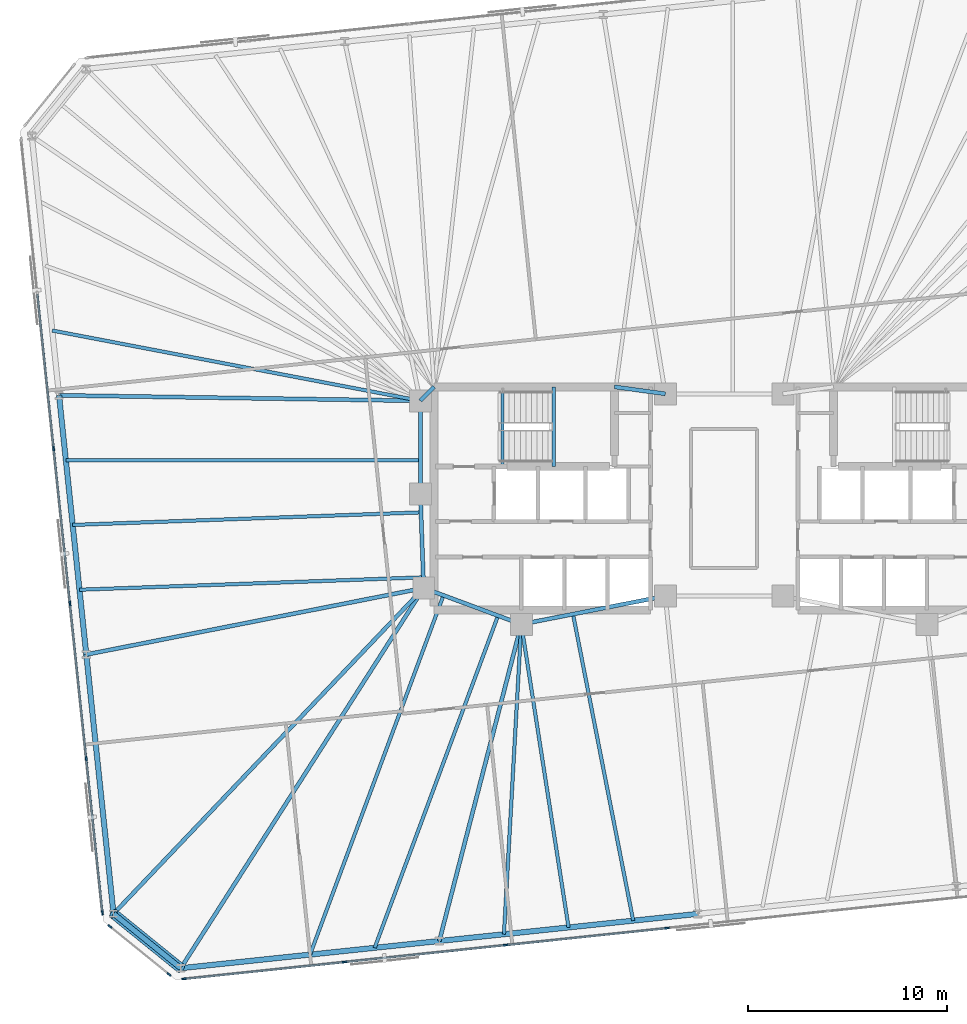
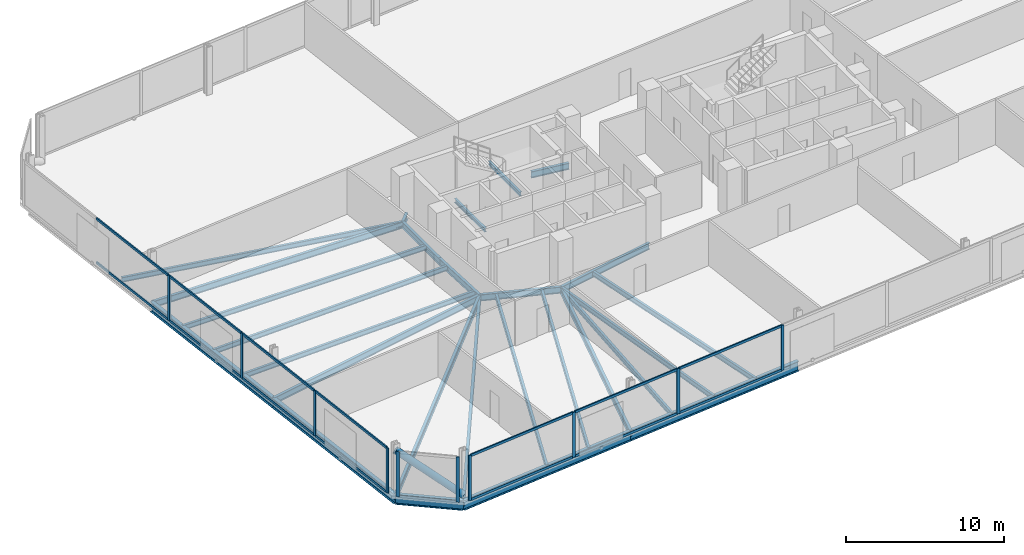
# One storey, part 6 of 18: 27 beams, 25 members, 3 elements without a shape of their own.
"""IFC4 building model written with IfcOpenShell, lengths in metres."""

from ifc_helpers import new_model, si_unit, direction, frame, origin, origin_2d, place, context, subcontext, project, spatial, rectangle, hollow_circle, i_section, extrude, material, material_profile, profile_set, type_object, element, aggregate, save


model = new_model("IFC4")

# Units and contexts
model_context = context("Model", 3, precision=1e-05, world=origin(), true_north=direction((0.0, 1.0)))
body_context = subcontext(model_context, "Body", "Model", "MODEL_VIEW")
ifc_project = project(units=[si_unit("LENGTHUNIT", "METRE"), si_unit("AREAUNIT", "SQUARE_METRE"), si_unit("VOLUMEUNIT", "CUBIC_METRE"), si_unit("PLANEANGLEUNIT", "RADIAN"), si_unit("MASSUNIT", "GRAM", prefix="KILO")], contexts=[model_context])

# Site, building, storey
site_placement = place(None, origin())
site = spatial("IfcSite", under=ifc_project, at=site_placement, CompositionType="ELEMENT")
building_placement = place(site_placement, origin())
building = spatial("IfcBuilding", under=site, at=building_placement, Name="Menara Jurai Vektor", CompositionType="ELEMENT")
storey_placement = place(building_placement, frame((0.0, 0.0, 124.39990234375)))
storey = spatial("IfcBuildingStorey", under=building, at=storey_placement, Name="L31", CompositionType="ELEMENT", Elevation=124.39990234375)

# Curtain wall, members
ifc_material_1 = material(Name="Anodised Pale Aluminium & Low-E Double Glazing", Category="aluminium")
curtain_wall_type = type_object("IfcCurtainWallType", Name="CW-BLK2", PredefinedType="NOTDEFINED", material=ifc_material_1)
curtain_wall_1_placement = place(storey_placement, origin())
curtain_wall_1 = element("IfcCurtainWall", 1, at=curtain_wall_1_placement, inside=storey, type_object=curtain_wall_type, Name="Unitised Curtain Wall L31 F01", PredefinedType="NOTDEFINED")
ifc_material_2 = material(Name="Anodised Pale Aluminium Mullion", Category="aluminium")
ifc_material_profile_1 = material_profile(ifc_material_2, rectangle(XDim=0.090087890625, YDim=0.219970703125, at=origin_2d()), Name="ALU MUL 90x220")
ifc_profile_set_1 = profile_set([ifc_material_profile_1], Name="Anodised Pale Aluminium Mullion")
member_type_1 = type_object("IfcMemberType", Name="CW-BLK2-MUL", PredefinedType="MULLION", material=ifc_profile_set_1)
member_1_placement = place(storey_placement, frame((-27.116455078125, -24.122314453125, 0.0), z_axis=(0.0, 0.0, 1.0), x_axis=(-0.104528634935, 0.994521877325, 0.0)))
member_1 = element("IfcMember", 2, at=member_1_placement, type_object=member_type_1, Name="CW-02 mullion 1", PredefinedType="MULLION", context=body_context, shape_type="SweptSolid", body=[
    extrude(rectangle(XDim=0.090087890625, YDim=0.219970703125, at=origin_2d()), origin(), (0.0, 0.0, 1.0), 3.47509765625),
])
member_2_placement = place(storey_placement, frame((-19.0634765625, -23.27587890625, 0.0), z_axis=(0.0, 0.0, 1.0), x_axis=(-0.104528634935, 0.994521877325, 0.0)))
member_2 = element("IfcMember", 3, at=member_2_placement, type_object=member_type_1, Name="CW-02 mullion 2", PredefinedType="MULLION", context=body_context, shape_type="SweptSolid", body=[
    extrude(rectangle(XDim=0.090087890625, YDim=0.219970703125, at=origin_2d()), origin(), (0.0, 0.0, 1.0), 3.47509765625),
])
member_3_placement = place(storey_placement, frame((-10.965576171875, -22.4248046875, 0.0), z_axis=(0.0, 0.0, 1.0), x_axis=(-0.104528634935, 0.994521877325, 0.0)))
member_3 = element("IfcMember", 4, at=member_3_placement, type_object=member_type_1, Name="CW-02 mullion 3", PredefinedType="MULLION", context=body_context, shape_type="SweptSolid", body=[
    extrude(rectangle(XDim=0.090087890625, YDim=0.219970703125, at=origin_2d()), origin(), (0.0, 0.0, 1.0), 3.47509765625),
])
member_4_placement = place(storey_placement, frame((-2.86767578125, -21.57373046875, 0.0), z_axis=(0.0, 0.0, 1.0), x_axis=(-0.104528634935, 0.994521877325, 0.0)))
member_4 = element("IfcMember", 5, at=member_4_placement, type_object=member_type_1, Name="CW-02 mullion 4", PredefinedType="MULLION", context=body_context, shape_type="SweptSolid", body=[
    extrude(rectangle(XDim=0.090087890625, YDim=0.219970703125, at=origin_2d()), origin(), (0.0, 0.0, 1.0), 3.47509765625),
])

curtain_wall_2_placement = place(storey_placement, origin())
curtain_wall_2 = element("IfcCurtainWall", 6, at=curtain_wall_2_placement, inside=storey, type_object=curtain_wall_type, Name="Unitised Curtain Wall L31 F07", PredefinedType="NOTDEFINED")
member_5_placement = place(storey_placement, frame((-33.66064453125, 2.50341796875, 0.0), z_axis=(0.0, 0.0, 1.0), x_axis=(0.99452177832, 0.104529576902, 0.0)))
member_5 = element("IfcMember", 7, at=member_5_placement, type_object=member_type_1, Name="CW-02 mullion 3", PredefinedType="MULLION", context=body_context, shape_type="SweptSolid", body=[
    extrude(rectangle(XDim=0.090087890625, YDim=0.219970703125, at=origin_2d()), origin(), (0.0, 0.0, 1.0), 3.47509765625),
])
member_6_placement = place(storey_placement, frame((-32.84228515625, -5.28173828125, 0.0), z_axis=(0.0, 0.0, 1.0), x_axis=(0.99452177832, 0.104529576902, 0.0)))
member_6 = element("IfcMember", 8, at=member_6_placement, type_object=member_type_1, Name="CW-02 mullion 4", PredefinedType="MULLION", context=body_context, shape_type="SweptSolid", body=[
    extrude(rectangle(XDim=0.090087890625, YDim=0.219970703125, at=origin_2d()), origin(), (0.0, 0.0, 1.0), 3.47509765625),
])
member_7_placement = place(storey_placement, frame((-32.024169921875, -13.06689453125, 0.0), z_axis=(0.0, 0.0, 1.0), x_axis=(0.99452177832, 0.104529576902, 0.0)))
member_7 = element("IfcMember", 9, at=member_7_placement, type_object=member_type_1, Name="CW-02 mullion 5", PredefinedType="MULLION", context=body_context, shape_type="SweptSolid", body=[
    extrude(rectangle(XDim=0.090087890625, YDim=0.219970703125, at=origin_2d()), origin(), (0.0, 0.0, 1.0), 3.47509765625),
])
member_8_placement = place(storey_placement, frame((-31.21044921875, -20.80712890625, 0.0), z_axis=(0.0, 0.0, 1.0), x_axis=(0.99452177832, 0.104529576902, 0.0)))
member_8 = element("IfcMember", 10, at=member_8_placement, type_object=member_type_1, Name="CW-02 mullion 6", PredefinedType="MULLION", context=body_context, shape_type="SweptSolid", body=[
    extrude(rectangle(XDim=0.090087890625, YDim=0.219970703125, at=origin_2d()), origin(), (0.0, 0.0, 1.0), 3.47509765625),
])

curtain_wall_3_placement = place(storey_placement, origin())
curtain_wall_3 = element("IfcCurtainWall", 11, at=curtain_wall_3_placement, inside=storey, type_object=curtain_wall_type, Name="Unitised Curtain Wall L31 F08", PredefinedType="NOTDEFINED")
member_9_placement = place(storey_placement, frame((-30.8359375, -21.497314453125, 0.0), z_axis=(0.0, 0.0, 1.0), x_axis=(0.629313085353, 0.777151877437, 0.0)))
member_9 = element("IfcMember", 12, at=member_9_placement, type_object=member_type_1, Name="CW-02 mullion 1", PredefinedType="MULLION", context=body_context, shape_type="SweptSolid", body=[
    extrude(rectangle(XDim=0.090087890625, YDim=0.219970703125, at=origin_2d()), origin(), (0.0, 0.0, 1.0), 3.47509765625),
])
member_10_placement = place(storey_placement, frame((-27.869384765625, -23.8994140625, 0.0), z_axis=(0.0, 0.0, 1.0), x_axis=(0.629313085353, 0.777151877437, 0.0)))
member_10 = element("IfcMember", 13, at=member_10_placement, type_object=member_type_1, Name="CW-02 mullion 2", PredefinedType="MULLION", context=body_context, shape_type="SweptSolid", body=[
    extrude(rectangle(XDim=0.090087890625, YDim=0.219970703125, at=origin_2d()), origin(), (0.0, 0.0, 1.0), 3.47509765625),
])
aggregate(curtain_wall_3, [member_9, member_10])

# Member
ifc_material_3 = material(Name="Anodised Pale Aluminium Transom", Category="aluminium")
ifc_material_profile_2 = material_profile(ifc_material_3, rectangle(XDim=0.090087890625, YDim=0.18505859375, at=origin_2d()), Name="ALU TRN 90x185")
ifc_profile_set_2 = profile_set([ifc_material_profile_2], Name="Anodised Pale Aluminium Transom")
member_type_2 = type_object("IfcMemberType", Name="CW-BLK2-TRN", PredefinedType="USERDEFINED", material=ifc_profile_set_2)
member_11_placement = place(storey_placement, frame((-27.07177734375, -24.11767578125, 0.045166015625), z_axis=(0.994523147415, 0.10451655015, 0.0), x_axis=(-0.10451655015, 0.994523147415, 0.0)))
member_11 = element("IfcMember", 14, at=member_11_placement, type_object=member_type_2, Name="CW-02 transom 1.1", ObjectType="TRANSOM", PredefinedType="USERDEFINED", context=body_context, shape_type="SweptSolid", body=[
    extrude(rectangle(XDim=0.090087890625, YDim=0.18505859375, at=origin_2d()), origin(), (0.0, 0.0, 1.0), 8.007568359375),
])

member_12_placement = place(storey_placement, frame((-27.07177734375, -24.11767578125, 3.43017578125), z_axis=(0.994523147415, 0.10451655015, 0.0), x_axis=(-0.10451655015, 0.994523147415, 0.0)))
member_12 = element("IfcMember", 15, at=member_12_placement, type_object=member_type_2, Name="CW-02 transom 1.2", ObjectType="TRANSOM", PredefinedType="USERDEFINED", context=body_context, shape_type="SweptSolid", body=[
    extrude(rectangle(XDim=0.090087890625, YDim=0.18505859375, at=origin_2d()), origin(), (0.0, 0.0, 1.0), 8.007568359375),
])

member_13_placement = place(storey_placement, frame((-19.0185546875, -23.271240234375, 0.045166015625), z_axis=(0.994520726373, 0.10453958492, 0.0), x_axis=(-0.10453958492, 0.994520726373, 0.0)))
member_13 = element("IfcMember", 16, at=member_13_placement, type_object=member_type_2, Name="CW-02 transom 2.1", ObjectType="TRANSOM", PredefinedType="USERDEFINED", context=body_context, shape_type="SweptSolid", body=[
    extrude(rectangle(XDim=0.090087890625, YDim=0.18505859375, at=origin_2d()), origin(), (0.0, 0.0, 1.0), 8.052490234375),
])

member_14_placement = place(storey_placement, frame((-19.0185546875, -23.271240234375, 3.43017578125), z_axis=(0.994520726373, 0.10453958492, 0.0), x_axis=(-0.10453958492, 0.994520726373, 0.0)))
member_14 = element("IfcMember", 17, at=member_14_placement, type_object=member_type_2, Name="CW-02 transom 2.2", ObjectType="TRANSOM", PredefinedType="USERDEFINED", context=body_context, shape_type="SweptSolid", body=[
    extrude(rectangle(XDim=0.090087890625, YDim=0.18505859375, at=origin_2d()), origin(), (0.0, 0.0, 1.0), 8.052490234375),
])

member_15_placement = place(storey_placement, frame((-10.920654296875, -22.420166015625, 0.045166015625), z_axis=(0.994520726373, 0.10453958492, 0.0), x_axis=(-0.10453958492, 0.994520726373, 0.0)))
member_15 = element("IfcMember", 18, at=member_15_placement, type_object=member_type_2, Name="CW-02 transom 3.1", ObjectType="TRANSOM", PredefinedType="USERDEFINED", context=body_context, shape_type="SweptSolid", body=[
    extrude(rectangle(XDim=0.090087890625, YDim=0.18505859375, at=origin_2d()), origin(), (0.0, 0.0, 1.0), 8.052490234375),
])

member_16_placement = place(storey_placement, frame((-10.920654296875, -22.420166015625, 3.43017578125), z_axis=(0.994520726373, 0.10453958492, 0.0), x_axis=(-0.10453958492, 0.994520726373, 0.0)))
member_16 = element("IfcMember", 19, at=member_16_placement, type_object=member_type_2, Name="CW-02 transom 3.2", ObjectType="TRANSOM", PredefinedType="USERDEFINED", context=body_context, shape_type="SweptSolid", body=[
    extrude(rectangle(XDim=0.090087890625, YDim=0.18505859375, at=origin_2d()), origin(), (0.0, 0.0, 1.0), 8.052490234375),
])

aggregate(curtain_wall_1, [member_1, member_2, member_3, member_4, member_11, member_12, member_13, member_14, member_15, member_16])

member_17_placement = place(storey_placement, frame((-34.47412109375, 10.243896484375, 0.045166015625), z_axis=(0.104525476786, -0.994522209256, 0.0), x_axis=(0.994522209256, 0.104525476786, 0.0)))
member_17 = element("IfcMember", 20, at=member_17_placement, type_object=member_type_2, Name="CW-02 transom 2.1", ObjectType="TRANSOM", PredefinedType="USERDEFINED", context=body_context, shape_type="SweptSolid", body=[
    extrude(rectangle(XDim=0.090087890625, YDim=0.18505859375, at=origin_2d()), origin(), (0.0, 0.0, 1.0), 7.73828125),
])

member_18_placement = place(storey_placement, frame((-34.47412109375, 10.243896484375, 3.43017578125), z_axis=(0.104525476786, -0.994522209256, 0.0), x_axis=(0.994522209256, 0.104525476786, 0.0)))
member_18 = element("IfcMember", 21, at=member_18_placement, type_object=member_type_2, Name="CW-02 transom 2.2", ObjectType="TRANSOM", PredefinedType="USERDEFINED", context=body_context, shape_type="SweptSolid", body=[
    extrude(rectangle(XDim=0.090087890625, YDim=0.18505859375, at=origin_2d()), origin(), (0.0, 0.0, 1.0), 7.73828125),
])

member_19_placement = place(storey_placement, frame((-33.65576171875, 2.458740234375, 0.045166015625), z_axis=(0.104525476786, -0.994522209256, 0.0), x_axis=(0.994522209256, 0.104525476786, 0.0)))
member_19 = element("IfcMember", 22, at=member_19_placement, type_object=member_type_2, Name="CW-02 transom 3.1", ObjectType="TRANSOM", PredefinedType="USERDEFINED", context=body_context, shape_type="SweptSolid", body=[
    extrude(rectangle(XDim=0.090087890625, YDim=0.18505859375, at=origin_2d()), origin(), (0.0, 0.0, 1.0), 7.73828125),
])

member_20_placement = place(storey_placement, frame((-33.65576171875, 2.458740234375, 3.43017578125), z_axis=(0.104525476786, -0.994522209256, 0.0), x_axis=(0.994522209256, 0.104525476786, 0.0)))
member_20 = element("IfcMember", 23, at=member_20_placement, type_object=member_type_2, Name="CW-02 transom 3.2", ObjectType="TRANSOM", PredefinedType="USERDEFINED", context=body_context, shape_type="SweptSolid", body=[
    extrude(rectangle(XDim=0.090087890625, YDim=0.18505859375, at=origin_2d()), origin(), (0.0, 0.0, 1.0), 7.73828125),
])

member_21_placement = place(storey_placement, frame((-32.837646484375, -5.326416015625, 0.045166015625), z_axis=(0.104525476786, -0.994522209256, 0.0), x_axis=(0.994522209256, 0.104525476786, 0.0)))
member_21 = element("IfcMember", 24, at=member_21_placement, type_object=member_type_2, Name="CW-02 transom 4.1", ObjectType="TRANSOM", PredefinedType="USERDEFINED", context=body_context, shape_type="SweptSolid", body=[
    extrude(rectangle(XDim=0.090087890625, YDim=0.18505859375, at=origin_2d()), origin(), (0.0, 0.0, 1.0), 7.73828125),
])

member_22_placement = place(storey_placement, frame((-32.837646484375, -5.326416015625, 3.43017578125), z_axis=(0.104525476786, -0.994522209256, 0.0), x_axis=(0.994522209256, 0.104525476786, 0.0)))
member_22 = element("IfcMember", 25, at=member_22_placement, type_object=member_type_2, Name="CW-02 transom 4.2", ObjectType="TRANSOM", PredefinedType="USERDEFINED", context=body_context, shape_type="SweptSolid", body=[
    extrude(rectangle(XDim=0.090087890625, YDim=0.18505859375, at=origin_2d()), origin(), (0.0, 0.0, 1.0), 7.73828125),
])

member_23_placement = place(storey_placement, frame((-32.019287109375, -13.111572265625, 0.045166015625), z_axis=(0.104536105602, -0.994521092097, 0.0), x_axis=(0.994521092097, 0.104536105602, 0.0)))
member_23 = element("IfcMember", 26, at=member_23_placement, type_object=member_type_2, Name="CW-02 transom 5.1", ObjectType="TRANSOM", PredefinedType="USERDEFINED", context=body_context, shape_type="SweptSolid", body=[
    extrude(rectangle(XDim=0.090087890625, YDim=0.18505859375, at=origin_2d()), origin(), (0.0, 0.0, 1.0), 7.693115234375),
])

member_24_placement = place(storey_placement, frame((-32.019287109375, -13.111572265625, 3.43017578125), z_axis=(0.104536105602, -0.994521092097, 0.0), x_axis=(0.994521092097, 0.104536105602, 0.0)))
member_24 = element("IfcMember", 27, at=member_24_placement, type_object=member_type_2, Name="CW-02 transom 5.2", ObjectType="TRANSOM", PredefinedType="USERDEFINED", context=body_context, shape_type="SweptSolid", body=[
    extrude(rectangle(XDim=0.090087890625, YDim=0.18505859375, at=origin_2d()), origin(), (0.0, 0.0, 1.0), 7.693115234375),
])

aggregate(curtain_wall_2, [member_5, member_6, member_7, member_8, member_17, member_18, member_19, member_20, member_21, member_22, member_23, member_24])

# Beams
ifc_material_4 = material(Name="Steel S355", Category="steel")
ifc_material_profile_3 = material_profile(ifc_material_4, i_section(OverallWidth=0.199951171875, OverallDepth=0.5, WebThickness=0.011962890625, FlangeThickness=0.02001953125, at=origin_2d()), Name="PG 500x200x96")
ifc_profile_set_3 = profile_set([ifc_material_profile_3], Name="Steel S355")
beam_type_1 = type_object("IfcBeamType", Name="STR-BM-500", PredefinedType="BEAM", material=ifc_profile_set_3)
beam_1_placement = place(storey_placement, frame((-15.25, 4.89990234375, -0.474853515625), z_axis=(0.701871936926, 0.712303154672, 0.0), x_axis=(-0.712303154672, 0.701871936926, 0.0)))
element("IfcBeam", 28, at=beam_1_placement, inside=storey, type_object=beam_type_1, Name="Core Ring Header Girder L31-CHW-N1", PredefinedType="BEAM", context=body_context, shape_type="SweptSolid", body=[
    extrude(i_section(OverallWidth=0.199951171875, OverallDepth=0.5, WebThickness=0.011962890625, FlangeThickness=0.02001953125, at=origin_2d()), origin(), (0.0, 0.0, 1.0), 0.98291015625),
])
beam_2_placement = place(storey_placement, frame((-5.5, 5.60009765625, -0.474853515625), z_axis=(0.990706818608, -0.136014703483, 0.0), x_axis=(0.136014703483, 0.990706818608, 0.0)))
element("IfcBeam", 29, at=beam_2_placement, inside=storey, type_object=beam_type_1, Name="Core Ring Header Girder L31-CHW-N2", PredefinedType="BEAM", context=body_context, shape_type="SweptSolid", body=[
    extrude(i_section(OverallWidth=0.199951171875, OverallDepth=0.5, WebThickness=0.011962890625, FlangeThickness=0.02001953125, at=origin_2d()), origin(), (0.0, 0.0, 1.0), 2.573974609375),
])
beam_3_placement = place(storey_placement, frame((-15.25, 0.219970703125, -0.474853515625), z_axis=(0.0, 1.0, 0.0), x_axis=(-1.0, 0.0, 0.0)))
element("IfcBeam", 30, at=beam_3_placement, inside=storey, type_object=beam_type_1, Name="Core Ring Header Girder L31-CHW-W1", PredefinedType="BEAM", context=body_context, shape_type="SweptSolid", body=[
    extrude(i_section(OverallWidth=0.199951171875, OverallDepth=0.5, WebThickness=0.011962890625, FlangeThickness=0.02001953125, at=origin_2d()), origin(), (0.0, 0.0, 1.0), 4.679931640625),
])
beam_4_placement = place(storey_placement, frame((-15.080078125, -4.5, -0.474853515625), z_axis=(-0.035977314146, 0.999352606874, 0.0), x_axis=(-0.999352606874, -0.035977314146, 0.0)))
element("IfcBeam", 31, at=beam_4_placement, inside=storey, type_object=beam_type_1, Name="Core Ring Header Girder L31-CHW-W2", PredefinedType="BEAM", context=body_context, shape_type="SweptSolid", body=[
    extrude(i_section(OverallWidth=0.199951171875, OverallDepth=0.5, WebThickness=0.011962890625, FlangeThickness=0.02001953125, at=origin_2d()), origin(), (0.0, 0.0, 1.0), 4.72314453125),
])
beam_5_placement = place(storey_placement, frame((-15.080078125, -4.5, -0.474853515625), z_axis=(0.937424400887, -0.348188874925, 0.0), x_axis=(0.348188874925, 0.937424400887, 0.0)))
element("IfcBeam", 32, at=beam_5_placement, inside=storey, type_object=beam_type_1, Name="Core Ring Header Girder L31-CHW-S1", PredefinedType="BEAM", context=body_context, shape_type="SweptSolid", body=[
    extrude(i_section(OverallWidth=0.199951171875, OverallDepth=0.5, WebThickness=0.011962890625, FlangeThickness=0.02001953125, at=origin_2d()), origin(), (0.0, 0.0, 1.0), 5.227294921875),
])
beam_6_placement = place(storey_placement, frame((-10.179931640625, -6.320068359375, -0.474853515625), z_axis=(0.981249044334, 0.192744164614, 0.0), x_axis=(-0.192744164614, 0.981249044334, 0.0)))
element("IfcBeam", 33, at=beam_6_placement, inside=storey, type_object=beam_type_1, Name="Core Ring Header Girder L31-CHW-S2", PredefinedType="BEAM", context=body_context, shape_type="SweptSolid", body=[
    extrude(i_section(OverallWidth=0.199951171875, OverallDepth=0.5, WebThickness=0.011962890625, FlangeThickness=0.02001953125, at=origin_2d()), origin(), (0.0, 0.0, 1.0), 7.3681640625),
])
beam_7_placement = place(storey_placement, frame((-27.2763671875, -23.586181640625, -0.474853515625), z_axis=(0.538462629542, 0.842649391258, 0.0), x_axis=(-0.842649391258, 0.538462629542, 0.0)))
element("IfcBeam", 34, at=beam_7_placement, inside=storey, type_object=beam_type_1, Name="Radial Floor Girder L31-S1", PredefinedType="BEAM", context=body_context, shape_type="SweptSolid", body=[
    extrude(i_section(OverallWidth=0.199951171875, OverallDepth=0.5, WebThickness=0.011962890625, FlangeThickness=0.02001953125, at=origin_2d()), origin(), (0.0, 0.0, 1.0), 22.650146484375),
])
beam_8_placement = place(storey_placement, frame((-14.296630859375, -22.221923828125, -0.474853515625), z_axis=(0.250619644892, 0.968085633399, 0.0), x_axis=(-0.968085633399, 0.250619644892, 0.0)))
element("IfcBeam", 35, at=beam_8_placement, inside=storey, type_object=beam_type_1, Name="Radial Floor Girder L31-S2", PredefinedType="BEAM", context=body_context, shape_type="SweptSolid", body=[
    extrude(i_section(OverallWidth=0.199951171875, OverallDepth=0.5, WebThickness=0.011962890625, FlangeThickness=0.02001953125, at=origin_2d()), origin(), (0.0, 0.0, 1.0), 16.426025390625),
])
beam_9_placement = place(storey_placement, frame((-33.38818359375, 5.175048828125, -0.474853515625), z_axis=(0.999884963566, -0.015167716827, 0.0), x_axis=(0.015167716827, 0.999884963566, 0.0)))
element("IfcBeam", 36, at=beam_9_placement, inside=storey, type_object=beam_type_1, Name="Radial Floor Girder L31-W2", PredefinedType="BEAM", context=body_context, shape_type="SweptSolid", body=[
    extrude(i_section(OverallWidth=0.199951171875, OverallDepth=0.5, WebThickness=0.011962890625, FlangeThickness=0.02001953125, at=origin_2d()), origin(), (0.0, 0.0, 1.0), 18.140380859375),
])
beam_10_placement = place(storey_placement, frame((-32.0205078125, -7.83837890625, -0.474853515625), z_axis=(0.98113039493, 0.193347221714, 0.0), x_axis=(-0.193347221714, 0.98113039493, 0.0)))
element("IfcBeam", 37, at=beam_10_placement, inside=storey, type_object=beam_type_1, Name="Radial Floor Girder L31-W3", PredefinedType="BEAM", context=body_context, shape_type="SweptSolid", body=[
    extrude(i_section(OverallWidth=0.199951171875, OverallDepth=0.5, WebThickness=0.011962890625, FlangeThickness=0.02001953125, at=origin_2d()), origin(), (0.0, 0.0, 1.0), 17.266357421875),
])
beam_11_placement = place(storey_placement, frame((-30.65283203125, -20.85205078125, -0.474853515625), z_axis=(0.689640593718, 0.724151815227, 0.0), x_axis=(-0.724151815227, 0.689640593718, 0.0)))
element("IfcBeam", 38, at=beam_11_placement, inside=storey, type_object=beam_type_1, Name="Radial Floor Girder L31-W4", PredefinedType="BEAM", context=body_context, shape_type="SweptSolid", body=[
    extrude(i_section(OverallWidth=0.199951171875, OverallDepth=0.5, WebThickness=0.011962890625, FlangeThickness=0.02001953125, at=origin_2d()), origin(), (0.0, 0.0, 1.0), 22.5810546875),
])

# Member
ifc_material_5 = material(Name="Steel S460", Category="steel")
ifc_material_profile_4 = material_profile(ifc_material_5, hollow_circle(Radius=0.25390625, WallThickness=0.02001953125, at=origin_2d()), Name="CHS 508x20")
ifc_profile_set_4 = profile_set([ifc_material_profile_4], Name="Steel S460")
member_type_3 = type_object("IfcMemberType", Name="STR-BR-508", PredefinedType="BRACE", material=ifc_profile_set_4)
member_25_placement = place(storey_placement, frame((-27.2763671875, -23.586181640625, 0.150146484375), z_axis=(-0.641240080956, 0.51925145818, 0.564968213047), x_axis=(-0.629309762217, -0.777154568396, 0.0)))
element("IfcMember", 39, at=member_25_placement, inside=storey, type_object=member_type_3, Name="Exoskeleton Corner Brace L31-4", PredefinedType="BRACE", context=body_context, shape_type="SweptSolid", body=[
    extrude(hollow_circle(Radius=0.25390625, WallThickness=0.02001953125, at=origin_2d()), origin(), (0.0, 0.0, 1.0), 5.265625),
])

# Beams
ifc_material_profile_5 = material_profile(ifc_material_4, i_section(OverallWidth=0.175048828125, OverallDepth=0.3798828125, WebThickness=0.010009765625, FlangeThickness=0.014892578125, at=origin_2d()), Name="PG 380x175x58")
ifc_profile_set_5 = profile_set([ifc_material_profile_5], Name="Steel S355")
beam_type_2 = type_object("IfcBeamType", Name="STR-JS-380", PredefinedType="JOIST", material=ifc_profile_set_5)
beam_12_placement = place(storey_placement, frame((-20.78662109375, -22.904052734375, -0.414794921875), z_axis=(0.34819162731, 0.93742337856, 0.0), x_axis=(-0.93742337856, 0.34819162731, 0.0)))
element("IfcBeam", 40, at=beam_12_placement, inside=storey, type_object=beam_type_2, Name="Radial Secondary Floor Joist L31-JS01", PredefinedType="JOIST", context=body_context, shape_type="SweptSolid", body=[
    extrude(i_section(OverallWidth=0.175048828125, OverallDepth=0.3798828125, WebThickness=0.010009765625, FlangeThickness=0.014892578125, at=origin_2d()), origin(), (0.0, 0.0, 1.0), 19.2392578125),
])
beam_13_placement = place(storey_placement, frame((-17.54150390625, -22.56298828125, -0.414794921875), z_axis=(0.348184462185, 0.937426039906, 0.0), x_axis=(-0.937426039906, 0.348184462185, 0.0)))
element("IfcBeam", 41, at=beam_13_placement, inside=storey, type_object=beam_type_2, Name="Radial Secondary Floor Joist L31-JS02", PredefinedType="JOIST", context=body_context, shape_type="SweptSolid", body=[
    extrude(i_section(OverallWidth=0.175048828125, OverallDepth=0.3798828125, WebThickness=0.010009765625, FlangeThickness=0.014892578125, at=origin_2d()), origin(), (0.0, 0.0, 1.0), 17.789794921875),
])
beam_14_placement = place(storey_placement, frame((-11.0517578125, -21.880859375, -0.414794921875), z_axis=(0.055939382302, 0.998434166837, 0.0), x_axis=(-0.998434166837, 0.055939382302, 0.0)))
element("IfcBeam", 42, at=beam_14_placement, inside=storey, type_object=beam_type_2, Name="Radial Secondary Floor Joist L31-JS03", PredefinedType="JOIST", context=body_context, shape_type="SweptSolid", body=[
    extrude(i_section(OverallWidth=0.175048828125, OverallDepth=0.3798828125, WebThickness=0.010009765625, FlangeThickness=0.014892578125, at=origin_2d()), origin(), (0.0, 0.0, 1.0), 15.585205078125),
])
beam_15_placement = place(storey_placement, frame((-7.806884765625, -21.539794921875, -0.414794921875), z_axis=(-0.154057765645, 0.988061842622, 0.0), x_axis=(-0.988061842622, -0.154057765645, 0.0)))
element("IfcBeam", 43, at=beam_15_placement, inside=storey, type_object=beam_type_2, Name="Radial Secondary Floor Joist L31-JS04", PredefinedType="JOIST", context=body_context, shape_type="SweptSolid", body=[
    extrude(i_section(OverallWidth=0.175048828125, OverallDepth=0.3798828125, WebThickness=0.010009765625, FlangeThickness=0.014892578125, at=origin_2d()), origin(), (0.0, 0.0, 1.0), 15.403564453125),
])
beam_16_placement = place(storey_placement, frame((-4.56201171875, -21.19873046875, -0.414794921875), z_axis=(-0.19271398667, 0.981254971627, 0.0), x_axis=(-0.981254971627, -0.19271398667, 0.0)))
element("IfcBeam", 44, at=beam_16_placement, inside=storey, type_object=beam_type_2, Name="Radial Secondary Floor Joist L31-JS05", PredefinedType="JOIST", context=body_context, shape_type="SweptSolid", body=[
    extrude(i_section(OverallWidth=0.175048828125, OverallDepth=0.3798828125, WebThickness=0.010009765625, FlangeThickness=0.014892578125, at=origin_2d()), origin(), (0.0, 0.0, 1.0), 15.682373046875),
])
beam_17_placement = place(storey_placement, frame((-33.730224609375, 8.428466796875, -0.414794921875), z_axis=(0.982255215221, -0.187549172674, 0.0), x_axis=(0.187549172674, 0.982255215221, 0.0)))
element("IfcBeam", 45, at=beam_17_placement, inside=storey, type_object=beam_type_2, Name="Radial Secondary Floor Joist L31-JS38", PredefinedType="JOIST", context=body_context, shape_type="SweptSolid", body=[
    extrude(i_section(OverallWidth=0.175048828125, OverallDepth=0.3798828125, WebThickness=0.010009765625, FlangeThickness=0.014892578125, at=origin_2d()), origin(), (0.0, 0.0, 1.0), 18.81396484375),
])
beam_18_placement = place(storey_placement, frame((-33.04638671875, 1.921630859375, -0.414794921875), z_axis=(1.0, 0.0, 0.0), x_axis=(0.0, 1.0, 0.0)))
element("IfcBeam", 46, at=beam_18_placement, inside=storey, type_object=beam_type_2, Name="Radial Secondary Floor Joist L31-JS39", PredefinedType="JOIST", context=body_context, shape_type="SweptSolid", body=[
    extrude(i_section(OverallWidth=0.175048828125, OverallDepth=0.3798828125, WebThickness=0.010009765625, FlangeThickness=0.014892578125, at=origin_2d()), origin(), (0.0, 0.0, 1.0), 17.79638671875),
])
beam_19_placement = place(storey_placement, frame((-32.704345703125, -1.331787109375, -0.414794921875), z_axis=(0.999351948809, 0.035995588769, 0.0), x_axis=(-0.035995588769, 0.999351948809, 0.0)))
element("IfcBeam", 47, at=beam_19_placement, inside=storey, type_object=beam_type_2, Name="Radial Secondary Floor Joist L31-JS40", PredefinedType="JOIST", context=body_context, shape_type="SweptSolid", body=[
    extrude(i_section(OverallWidth=0.175048828125, OverallDepth=0.3798828125, WebThickness=0.010009765625, FlangeThickness=0.014892578125, at=origin_2d()), origin(), (0.0, 0.0, 1.0), 17.498779296875),
])
beam_20_placement = place(storey_placement, frame((-32.362548828125, -4.5849609375, -0.414794921875), z_axis=(0.999352405578, 0.03598290517, 0.0), x_axis=(-0.03598290517, 0.999352405578, 0.0)))
element("IfcBeam", 48, at=beam_20_placement, inside=storey, type_object=beam_type_2, Name="Radial Secondary Floor Joist L31-JS41", PredefinedType="JOIST", context=body_context, shape_type="SweptSolid", body=[
    extrude(i_section(OverallWidth=0.175048828125, OverallDepth=0.3798828125, WebThickness=0.010009765625, FlangeThickness=0.014892578125, at=origin_2d()), origin(), (0.0, 0.0, 1.0), 17.2744140625),
])
ifc_material_profile_6 = material_profile(ifc_material_4, i_section(OverallWidth=0.1650390625, OverallDepth=0.302978515625, WebThickness=0.006103515625, FlangeThickness=0.010009765625, FilletRadius=0.009033203125, at=origin_2d()), Name="UKB 305x165x40")
ifc_profile_set_6 = profile_set([ifc_material_profile_6], Name="Steel S355")
beam_type_3 = type_object("IfcBeamType", Name="STR-LN-305", PredefinedType="LINTEL", material=ifc_profile_set_6)
beam_21_placement = place(storey_placement, frame((-11.1201171875, 1.60009765625, -0.37646484375), z_axis=(0.0, 1.0, 0.0), x_axis=(-1.0, 0.0, 0.0)))
element("IfcBeam", 49, at=beam_21_placement, inside=storey, type_object=beam_type_3, Name="Stair Well Floor Trimmer ST1 L31", PredefinedType="LINTEL", context=body_context, shape_type="SweptSolid", body=[
    extrude(i_section(OverallWidth=0.1650390625, OverallDepth=0.302978515625, WebThickness=0.006103515625, FlangeThickness=0.010009765625, FilletRadius=0.009033203125, at=origin_2d()), origin(), (0.0, 0.0, 1.0), 3.81982421875),
])
beam_22_placement = place(storey_placement, frame((-8.550048828125, 1.60009765625, 1.49853515625), z_axis=(0.0, 1.0, 0.0), x_axis=(-1.0, 0.0, 0.0)))
element("IfcBeam", 50, at=beam_22_placement, inside=storey, type_object=beam_type_3, Name="Stair Half-Landing Nosing Trimmer ST1-1 L31", PredefinedType="LINTEL", context=body_context, shape_type="SweptSolid", body=[
    extrude(i_section(OverallWidth=0.1650390625, OverallDepth=0.302978515625, WebThickness=0.006103515625, FlangeThickness=0.010009765625, FilletRadius=0.009033203125, at=origin_2d()), origin(), (0.0, 0.0, 1.0), 4.0),
])
ifc_material_profile_7 = material_profile(ifc_material_5, i_section(OverallWidth=0.26806640625, OverallDepth=0.77001953125, WebThickness=0.01611328125, FlangeThickness=0.02490234375, FilletRadius=0.01708984375, at=origin_2d()), Name="UKB 762x267x197")
ifc_profile_set_7 = profile_set([ifc_material_profile_7], Name="Steel S460")
beam_type_4 = type_object("IfcBeamType", Name="STR-SP-762", PredefinedType="SPANDREL", material=ifc_profile_set_7)
for number, where, z_axis, x_axis, name in (
    (51, (-27.2763671875, -23.586181640625, -0.60986328125), (0.994521636083, 0.104530930169, 0.0), (-0.104530930169, 0.994521636083, 0.0), "Exoskeleton Spandrel Beam L31-01"),
    (52, (-14.296630859375, -22.221923828125, -0.60986328125), (0.994523580592, 0.104512428191, 0.0), (-0.104512428191, 0.994523580592, 0.0), "Exoskeleton Spandrel Beam L31-02"),
):
    element("IfcBeam", number, at=place(storey_placement, frame(where, z_axis=z_axis, x_axis=x_axis)), inside=storey, type_object=beam_type_4, Name=name, PredefinedType="SPANDREL", context=body_context, shape_type="SweptSolid", body=[
        extrude(i_section(OverallWidth=0.26806640625, OverallDepth=0.77001953125, WebThickness=0.01611328125, FlangeThickness=0.02490234375, FilletRadius=0.01708984375, at=origin_2d()), origin(), (0.0, 0.0, 1.0), 13.05126953125),
    ])
beam_23_placement = place(storey_placement, frame((-33.38818359375, 5.175048828125, -0.60986328125), z_axis=(0.104521615846, -0.994522615037, 0.0), x_axis=(0.994522615037, 0.104521615846, 0.0)))
element("IfcBeam", 53, at=beam_23_placement, inside=storey, type_object=beam_type_4, Name="Exoskeleton Spandrel Beam L31-18", PredefinedType="SPANDREL", context=body_context, shape_type="SweptSolid", body=[
    extrude(i_section(OverallWidth=0.26806640625, OverallDepth=0.77001953125, WebThickness=0.01611328125, FlangeThickness=0.02490234375, FilletRadius=0.01708984375, at=origin_2d()), origin(), (0.0, 0.0, 1.0), 13.085205078125),
])
beam_24_placement = place(storey_placement, frame((-32.0205078125, -7.83837890625, -0.60986328125), z_axis=(0.104519676409, -0.994522818865, 0.0), x_axis=(0.994522818865, 0.104519676409, 0.0)))
element("IfcBeam", 54, at=beam_24_placement, inside=storey, type_object=beam_type_4, Name="Exoskeleton Spandrel Beam L31-19", PredefinedType="SPANDREL", context=body_context, shape_type="SweptSolid", body=[
    extrude(i_section(OverallWidth=0.26806640625, OverallDepth=0.77001953125, WebThickness=0.01611328125, FlangeThickness=0.02490234375, FilletRadius=0.01708984375, at=origin_2d()), origin(), (0.0, 0.0, 1.0), 13.08544921875),
])
beam_25_placement = place(storey_placement, frame((-30.65283203125, -20.85205078125, -0.60986328125), z_axis=(0.777154568396, -0.629309762217, 0.0), x_axis=(0.629309762217, 0.777154568396, 0.0)))
element("IfcBeam", 55, at=beam_25_placement, inside=storey, type_object=beam_type_4, Name="Exoskeleton Spandrel Beam L31-20", PredefinedType="SPANDREL", context=body_context, shape_type="SweptSolid", body=[
    extrude(i_section(OverallWidth=0.26806640625, OverallDepth=0.77001953125, WebThickness=0.01611328125, FlangeThickness=0.02490234375, FilletRadius=0.01708984375, at=origin_2d()), origin(), (0.0, 0.0, 1.0), 4.3447265625),
])

save(model, "model.ifc")
